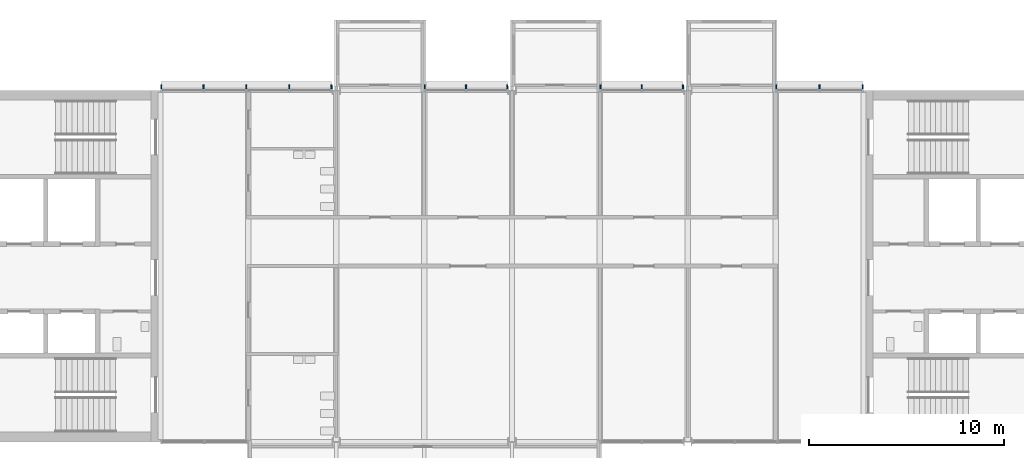
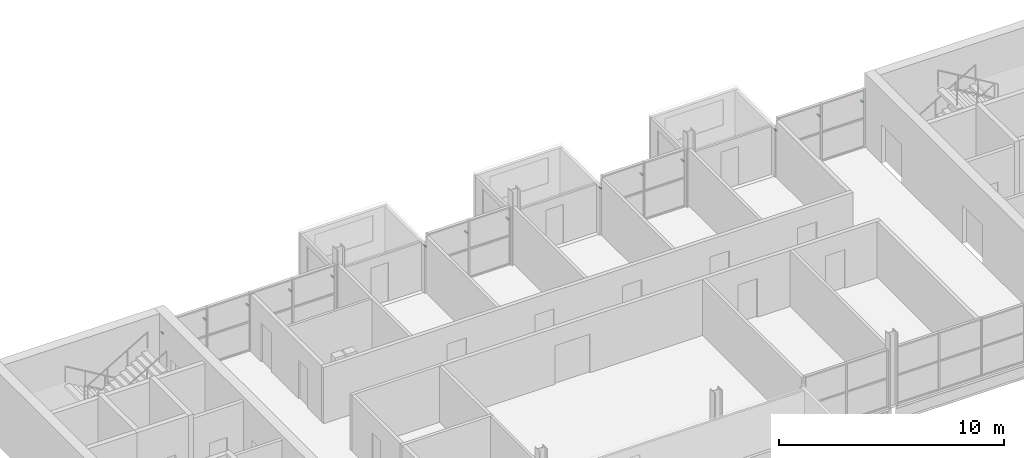
# One storey, part 9 of 11: 14 discrete accessories.
"""IFC4 building model written with IfcOpenShell, lengths in metres."""

from ifc_helpers import new_model, si_unit, direction, frame, origin, origin_2d, place, context, subcontext, project, spatial, rectangle, extrude, material, type_object, element, save


model = new_model("IFC4")

# Units and contexts
model_context = context("Model", 3, precision=1e-05, world=origin(), true_north=direction((0.0, 1.0)))
body_context = subcontext(model_context, "Body", "Model", "MODEL_VIEW")
ifc_project = project(units=[si_unit("LENGTHUNIT", "METRE"), si_unit("AREAUNIT", "SQUARE_METRE"), si_unit("VOLUMEUNIT", "CUBIC_METRE"), si_unit("PLANEANGLEUNIT", "RADIAN"), si_unit("MASSUNIT", "GRAM", prefix="KILO")], contexts=[model_context])

# Site, building, storey
site_placement = place(None, origin())
site = spatial("IfcSite", under=ifc_project, at=site_placement, CompositionType="ELEMENT")
building_placement = place(site_placement, origin())
building = spatial("IfcBuilding", under=site, at=building_placement, Name="Corbel Yard City Hall", CompositionType="ELEMENT")
storey_placement = place(building_placement, frame((0.0, 0.0, 39.199951171875)))
storey = spatial("IfcBuildingStorey", under=building, at=storey_placement, Name="L09", CompositionType="ELEMENT", Elevation=39.199951171875)

# Discrete accessories
ifc_material = material(Name="Steel Grade 300 (300 MPa yield)", Category="steel")
discrete_accessory_type = type_object("IfcDiscreteAccessoryType", Name="BK1", PredefinedType="BRACKET", material=ifc_material)
for number, where, z_axis, x_axis, name in (
    (1, (9.032470703125, 117.18994140625, 2.33251953125), (0.0, 0.0, 1.0), (1.0, 0.0, 0.0), "Louvre bracket"),
    (2, (11.1982421875, 117.18994140625, 2.33251953125), (0.0, 0.0, 1.0), (1.0, 0.0, 0.0), "Louvre bracket"),
    (3, (13.396484375, 117.18994140625, 2.33251953125), (0.0, 0.0, 1.0), (1.0, 0.0, 0.0), "Louvre bracket"),
    (4, (15.5947265625, 117.18994140625, 2.33251953125), (0.0, 0.0, 1.0), (1.0, 0.0, 0.0), "Louvre bracket"),
    (5, (17.760498046875, 117.18994140625, 2.33251953125), (0.0, 0.0, 1.0), (1.0, 0.0, 0.0), "Louvre bracket"),
    (6, (22.532470703125, 117.18994140625, 2.33251953125), (0.0, 0.0, 1.0), (1.0, 0.0, 0.0), "Louvre bracket"),
    (7, (24.646484375, 117.18994140625, 2.33251953125), (0.0, 0.0, 1.0), (1.0, 0.0, 0.0), "Louvre bracket"),
    (8, (26.760498046875, 117.18994140625, 2.33251953125), (0.0, 0.0, 1.0), (1.0, 0.0, 0.0), "Louvre bracket"),
    (9, (31.532470703125, 117.18994140625, 2.33251953125), (0.0, 0.0, 1.0), (1.0, 0.0, 0.0), "Louvre bracket"),
    (10, (33.646484375, 117.18994140625, 2.33251953125), (0.0, 0.0, 1.0), (1.0, 0.0, 0.0), "Louvre bracket"),
    (11, (35.760498046875, 117.18994140625, 2.33251953125), (0.0, 0.0, 1.0), (1.0, 0.0, 0.0), "Louvre bracket"),
    (12, (40.532470703125, 117.18994140625, 2.33251953125), (0.0, 0.0, 1.0), (1.0, 0.0, 0.0), "Louvre bracket"),
    (13, (42.75, 117.18994140625, 2.33251953125), (0.0, 0.0, 1.0), (1.0, 0.0, 0.0), "Louvre bracket"),
    (14, (44.967529296875, 117.18994140625, 2.33251953125), (0.0, 0.0, 1.0), (1.0, 0.0, 0.0), "Louvre bracket"),
):
    element("IfcDiscreteAccessory", number, at=place(storey_placement, frame(where, z_axis=z_axis, x_axis=x_axis)), inside=storey, type_object=discrete_accessory_type, Name=name, PredefinedType="BRACKET", context=body_context, shape_type="SweptSolid", body=[
        extrude(rectangle(XDim=0.06005859375, YDim=0.199951171875, at=origin_2d()), origin(), (0.0, 0.0, 1.0), 0.06005859375),
    ])

save(model, "model.ifc")
